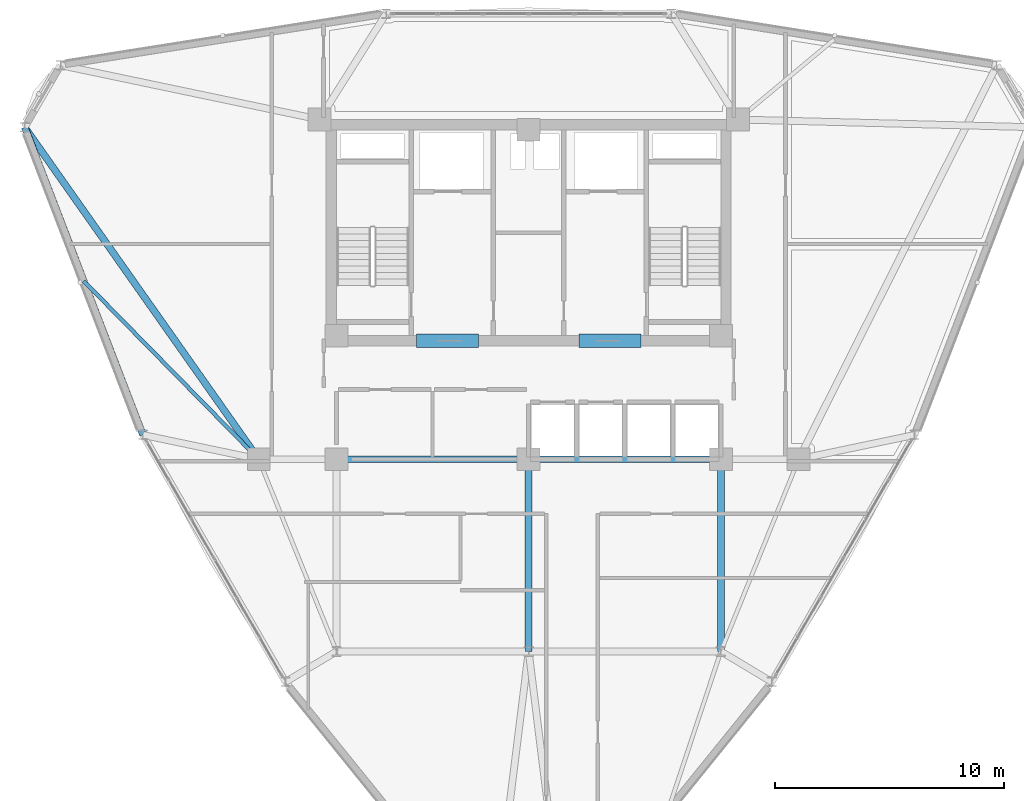
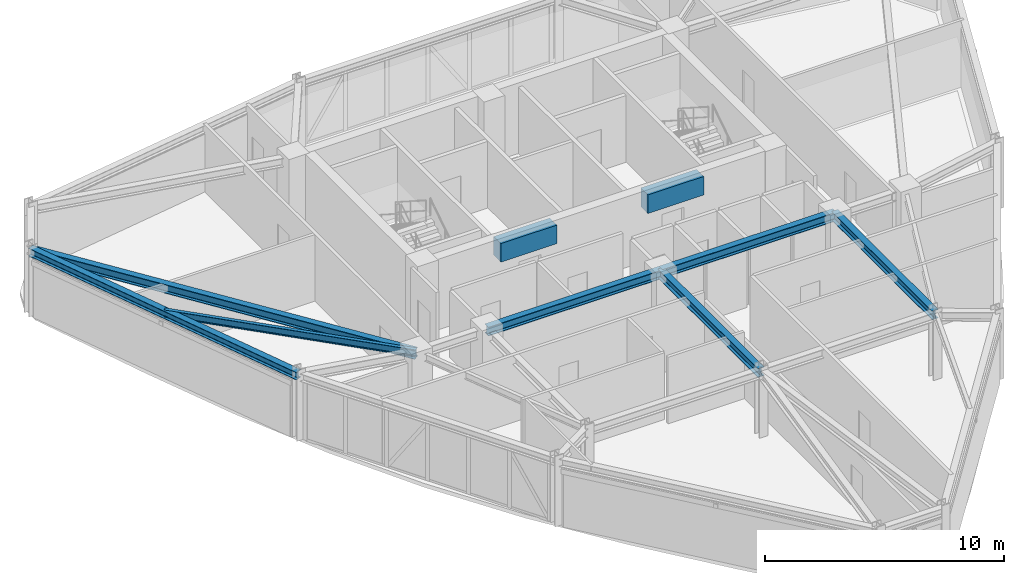
# One storey, part 5 of 14: 9 beams.
"""IFC4 building model written with IfcOpenShell, lengths in metres."""

from ifc_helpers import new_model, si_unit, derived_unit, direction, frame, origin, origin_2d, place, context, subcontext, project, spatial, rectangle, i_section, extrude, source, transform, mapped, material, material_profile, profile_set, type_object, element, save


model = new_model("IFC4")

# Units and contexts
model_context = context("Model", 3, precision=1e-05, world=origin(), true_north=direction((0.0, 1.0)))
body_context = subcontext(model_context, "Body", "Model", "MODEL_VIEW")
ifc_project = project(units=[si_unit("LENGTHUNIT", "METRE"), si_unit("AREAUNIT", "SQUARE_METRE"), si_unit("VOLUMEUNIT", "CUBIC_METRE"), si_unit("PLANEANGLEUNIT", "RADIAN"), si_unit("MASSUNIT", "GRAM", prefix="KILO"), derived_unit("THERMALTRANSMITTANCEUNIT", [(si_unit("POWERUNIT", "WATT"), 1), (si_unit("LENGTHUNIT", "METRE"), -2), (si_unit("THERMODYNAMICTEMPERATUREUNIT", "KELVIN"), -1)])], contexts=[model_context])

# Site, building, storey
site_placement = place(None, origin())
site = spatial("IfcSite", under=ifc_project, at=site_placement, CompositionType="ELEMENT")
building_placement = place(site_placement, origin())
building = spatial("IfcBuilding", under=site, at=building_placement, Name="Korsvarv Bourse and Concert Hall", CompositionType="ELEMENT")
storey_placement = place(building_placement, frame((0.0, 0.0, 190.199951171875)))
storey = spatial("IfcBuildingStorey", under=building, at=storey_placement, Name="L49", CompositionType="ELEMENT", Elevation=190.199951171875)

# Beams
ifc_material_1 = material(Name="Concrete C55/67", Category="concrete")
ifc_material_profile_1 = material_profile(ifc_material_1, rectangle(XDim=0.60009765625, YDim=0.949951171875, at=origin_2d()), Name="RC-BM 600x950")
ifc_profile_set_1 = profile_set([ifc_material_profile_1], Name="Concrete C55/67")
beam_type_1 = type_object("IfcBeamType", Name="BM-CPL", PredefinedType="LINTEL", material=ifc_profile_set_1)
shared_shape_1 = source(origin(), body_context, "Body", "SweptSolid", [
    extrude(rectangle(XDim=0.60009765625, YDim=0.949951171875, at=origin_2d()), origin(), (0.0, 0.0, 1.0), 2.699951171875),
])
for number, where, z_axis, x_axis, name in (
    (1, (31.10009765625, 37.574951171875, 2.925048828125), (1.0, 0.0, 0.0), (0.0, 1.0, 0.0), "L49 Core Coupling Beam West"),
    (2, (38.199951171875, 37.574951171875, 2.925048828125), (1.0, 0.0, 0.0), (0.0, 1.0, 0.0), "L49 Core Coupling Beam East"),
):
    element("IfcBeam", number, at=place(storey_placement, frame(where, z_axis=z_axis, x_axis=x_axis)), inside=storey, type_object=beam_type_1, Name=name, PredefinedType="LINTEL", context=body_context, shape_type="MappedRepresentation", body=[
        mapped(shared_shape_1, transform((0.0, 0.0, 0.0), scale=1.0)),
    ])
ifc_material_2 = material(Name="Steel S355", Category="steel")
ifc_material_profile_2 = material_profile(ifc_material_2, i_section(OverallWidth=0.300048828125, OverallDepth=0.449951171875, WebThickness=0.013916015625, FlangeThickness=0.02587890625, FilletRadius=0.02099609375, at=origin_2d()), Name="HEB 450")
ifc_profile_set_2 = profile_set([ifc_material_profile_2], Name="Steel S355")
beam_type_2 = type_object("IfcBeamType", Name="BM-HEB450", PredefinedType="SPANDREL", material=ifc_profile_set_2)
shared_shape_2 = source(origin(), body_context, "Body", "SweptSolid", [
    extrude(i_section(OverallWidth=0.300048828125, OverallDepth=0.449951171875, WebThickness=0.013916015625, FlangeThickness=0.02587890625, FilletRadius=0.02099609375, at=origin_2d()), origin(), (0.0, 0.0, 1.0), 8.39990234375),
])
for number, where, z_axis, x_axis, name in (
    (3, (27.60009765625, 32.39990234375, 3.175048828125), (1.0, 0.0, 0.0), (0.0, 1.0, 0.0), "L49 beam B-08"),
    (4, (36.0, 32.39990234375, 3.175048828125), (1.0, 0.0, 0.0), (0.0, 1.0, 0.0), "L49 beam B-08"),
    (5, (36.0, 24.0, 3.175048828125), (0.0, 1.0, 0.0), (-1.0, 0.0, 0.0), "L49 beam B-08"),
    (6, (44.39990234375, 24.0, 3.175048828125), (0.0, 1.0, 0.0), (-1.0, 0.0, 0.0), "L49 beam B-08"),
):
    element("IfcBeam", number, at=place(storey_placement, frame(where, z_axis=z_axis, x_axis=x_axis)), inside=storey, type_object=beam_type_2, Name=name, PredefinedType="SPANDREL", context=body_context, shape_type="MappedRepresentation", body=[
        mapped(shared_shape_2, transform((0.0, 0.0, 0.0), scale=1.0)),
    ])
ifc_material_profile_3 = material_profile(ifc_material_2, i_section(OverallWidth=0.300048828125, OverallDepth=0.389892578125, WebThickness=0.010986328125, FlangeThickness=0.01904296875, FilletRadius=0.02099609375, at=origin_2d()), Name="HEA 400")
ifc_profile_set_3 = profile_set([ifc_material_profile_3], Name="Steel S355")
beam_type_3 = type_object("IfcBeamType", Name="BM-HEA400", PredefinedType="BEAM", material=ifc_profile_set_3)
shared_shape_3 = source(origin(), body_context, "Body", "SweptSolid", [
    extrude(i_section(OverallWidth=0.300048828125, OverallDepth=0.389892578125, WebThickness=0.010986328125, FlangeThickness=0.01904296875, FilletRadius=0.02099609375, at=origin_2d()), origin(), (0.0, 0.0, 1.0), 14.408935546875),
])
beam_1_placement = place(storey_placement, frame((13.9697265625, 46.912353515625, 3.205078125), z_axis=(0.35869521437, -0.933454735479, 0.0), x_axis=(0.933454735479, 0.35869521437, 0.0)))
element("IfcBeam", 7, at=beam_1_placement, inside=storey, type_object=beam_type_3, Name="L49 beam B-11", PredefinedType="BEAM", context=body_context, shape_type="MappedRepresentation", body=[
    mapped(shared_shape_3, transform((0.0, 0.0, 0.0), scale=1.0)),
])
shared_shape_4 = source(origin(), body_context, "Body", "SweptSolid", [
    extrude(i_section(OverallWidth=0.300048828125, OverallDepth=0.449951171875, WebThickness=0.013916015625, FlangeThickness=0.02587890625, FilletRadius=0.02099609375, at=origin_2d()), origin(), (0.0, 0.0, 1.0), 17.755859375),
])
beam_2_placement = place(storey_placement, frame((13.9697265625, 46.912353515625, 3.175048828125), z_axis=(0.57616214008, -0.817335419726, 0.0), x_axis=(0.817335419726, 0.57616214008, 0.0)))
element("IfcBeam", 8, at=beam_2_placement, inside=storey, type_object=beam_type_2, Name="L49 beam B-08", PredefinedType="SPANDREL", context=body_context, shape_type="MappedRepresentation", body=[
    mapped(shared_shape_4, transform((0.0, 0.0, 0.0), scale=1.0)),
])
ifc_material_profile_4 = material_profile(ifc_material_2, i_section(OverallWidth=0.169921875, OverallDepth=0.360107421875, WebThickness=0.008056640625, FlangeThickness=0.0126953125, FilletRadius=0.01806640625, at=origin_2d()), Name="IPE 360")
ifc_profile_set_4 = profile_set([ifc_material_profile_4], Name="Steel S355")
beam_type_4 = type_object("IfcBeamType", Name="BM-IPE360", PredefinedType="JOIST", material=ifc_profile_set_4)
shared_shape_5 = source(origin(), body_context, "Body", "SweptSolid", [
    extrude(i_section(OverallWidth=0.169921875, OverallDepth=0.360107421875, WebThickness=0.008056640625, FlangeThickness=0.0126953125, FilletRadius=0.01806640625, at=origin_2d()), origin(), (0.0, 0.0, 1.0), 10.91357421875),
])
beam_3_placement = place(storey_placement, frame((16.553955078125, 40.187255859375, 3.219970703125), z_axis=(0.70060084911, -0.713553396899, 0.0), x_axis=(0.713553396899, 0.70060084911, 0.0)))
element("IfcBeam", 9, at=beam_3_placement, inside=storey, type_object=beam_type_4, Name="L49 beam J-06", PredefinedType="JOIST", context=body_context, shape_type="MappedRepresentation", body=[
    mapped(shared_shape_5, transform((0.0, 0.0, 0.0), scale=1.0)),
])

save(model, "model.ifc")
